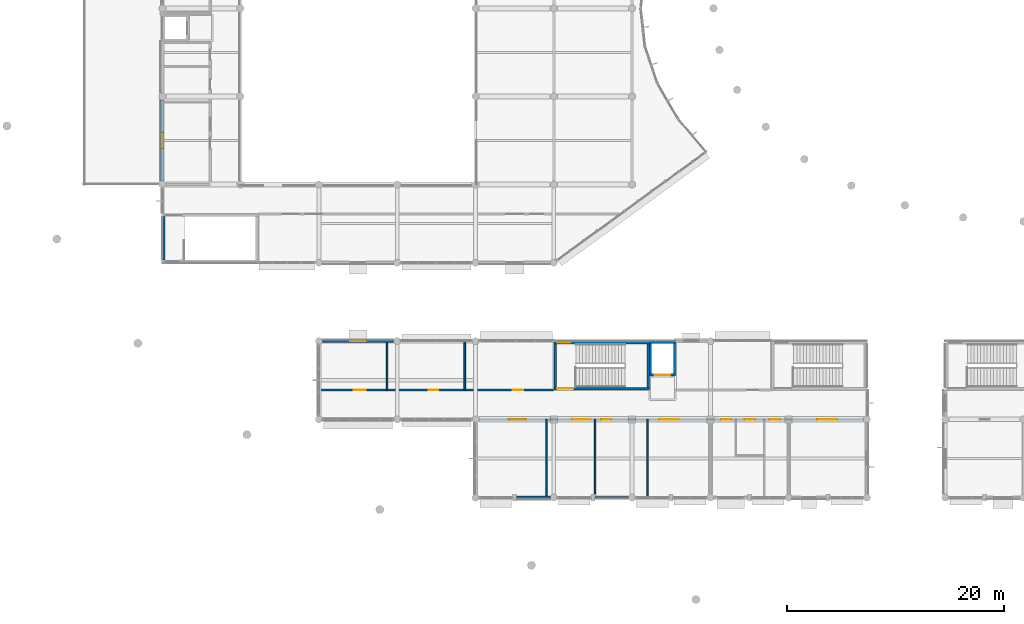
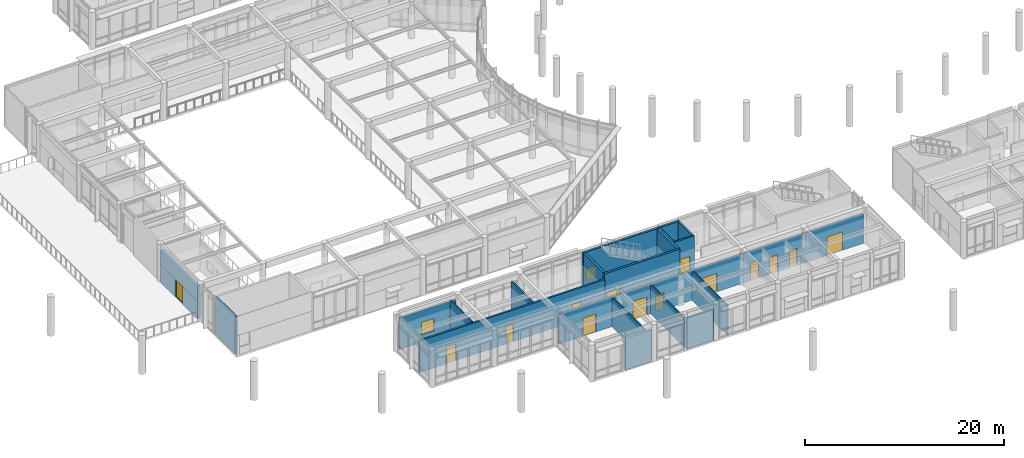
# One storey, part 45 of 92: 20 walls, 14 doors, 2 windows, 16 openings.
"""IFC4 building model written with IfcOpenShell, lengths in metres."""

from ifc_helpers import new_model, si_unit, direction, frame, frame_2d, origin, place, context, subcontext, project, spatial, rectangle, extrude, material, layer, layer_set, type_object, element, fill, save


model = new_model("IFC4")

# Units and contexts
model_context = context("Model", 3, precision=1e-05, world=origin(), true_north=direction((0.0, 1.0)))
body_context = subcontext(model_context, "Body", "Model", "MODEL_VIEW")
ifc_project = project(units=[si_unit("LENGTHUNIT", "METRE"), si_unit("AREAUNIT", "SQUARE_METRE"), si_unit("VOLUMEUNIT", "CUBIC_METRE"), si_unit("PLANEANGLEUNIT", "RADIAN"), si_unit("MASSUNIT", "GRAM", prefix="KILO")], contexts=[model_context])

# Site, building, storey
site_placement = place(None, origin())
site = spatial("IfcSite", under=ifc_project, at=site_placement, CompositionType="ELEMENT")
building_placement = place(site_placement, origin())
building = spatial("IfcBuilding", under=site, at=building_placement, Name="Namkhue Oval Health Centre", CompositionType="ELEMENT")
storey_placement = place(building_placement, frame((0.0, 0.0, 4.800048828125)))
storey = spatial("IfcBuildingStorey", under=building, at=storey_placement, Name="L01", CompositionType="ELEMENT", Elevation=4.800048828125)

# Wall
ifc_material_1 = material(Name="Autoclaved aerated concrete blockwork M7.5", Category="masonry")
ifc_layer_1 = layer(ifc_material_1, 0.179931640625)
ifc_layer_set_1 = layer_set([ifc_layer_1], Name="Autoclaved aerated concrete blockwork M7.5")
wall_type_1 = type_object("IfcWallType", Name="EXTERIOR ENVELOPE WALL 180", PredefinedType="STANDARD", material=ifc_layer_set_1)
wall_1_placement = place(storey_placement, frame((61.37109375, 14.39990234375, 0.0), z_axis=(0.0, 0.0, 1.0), x_axis=(1.0, 0.0, 0.0)))
element("IfcWall", 1, at=wall_1_placement, inside=storey, type_object=wall_type_1, Name="Volume V4 L01 Exterior Envelope Wall 97", PredefinedType="STANDARD", context=body_context, shape_type="SweptSolid", body=[
    extrude(rectangle(XDim=3.10888671875, YDim=0.179931640625, at=frame_2d((1.554443359375, 0.0))), origin(), (0.0, 0.0, 1.0), 3.85498046875),
])

# Wall, opening, window
ifc_layer_2 = layer(ifc_material_1, 0.22998046875)
ifc_layer_set_2 = layer_set([ifc_layer_2], Name="Autoclaved aerated concrete blockwork M7.5")
wall_type_2 = type_object("IfcWallType", Name="EXTERIOR ENVELOPE WALL 230", PredefinedType="STANDARD", material=ifc_layer_set_2)
wall_2_placement = place(storey_placement, frame((42.8798828125, 28.800048828125, 0.0), z_axis=(0.0, 0.0, 1.0), x_axis=(-1.0, 0.0, 0.0)))
wall_2 = element("IfcWall", 2, at=wall_2_placement, inside=storey, type_object=wall_type_2, Name="Volume V4 L01 Exterior Envelope Wall 102", PredefinedType="STANDARD", context=body_context, shape_type="SweptSolid", body=[
    extrude(rectangle(XDim=6.559814453125, YDim=0.22998046875, at=frame_2d((3.27978515625, 0.0))), origin(), (0.0, 0.0, 1.0), 3.89794921875),
])
opening_1_placement = place(wall_2_placement, frame((2.554931640625, 0.0, 0.89990234375)))
opening_1 = element("IfcOpeningElement", 3, at=opening_1_placement, cuts=wall_2, Name="Opening WN-24", PredefinedType="OPENING", context=body_context, shape_type="SweptSolid", body=[
    extrude(rectangle(XDim=1.449951171875, YDim=1.5400390625, at=frame_2d((0.72509765625, 0.77001953125))), frame((0.0, 0.125, 0.0), z_axis=(0.0, -1.0, 0.0), x_axis=(1.0, 0.0, 0.0)), (0.0, 0.0, 1.0), 0.25),
])
ifc_material_2 = material(Name="Thermally broken low-E laminated double glazing", Category="glass")
window_type_1 = type_object("IfcWindowType", Name="EXTERIOR WINDOW 1450X1540", PartitioningType="SINGLE_PANEL", PredefinedType="WINDOW", material=ifc_material_2)
window_1_placement = place(opening_1_placement, origin())
window_1 = element("IfcWindow", 4, at=window_1_placement, inside=storey, type_object=window_type_1, Name="Volume V4 L01 Exterior Window 69", OverallHeight=1.5400390625, OverallWidth=1.449951171875, PartitioningType="SINGLE_PANEL", PredefinedType="WINDOW", context=body_context, shape_type="SweptSolid", body=[
    extrude(rectangle(XDim=1.449951171875, YDim=1.5400390625, at=frame_2d((0.72509765625, 0.77001953125))), frame((0.0, 0.030029296875, 0.0), z_axis=(0.0, -1.0, 0.0), x_axis=(1.0, 0.0, 0.0)), (0.0, 0.0, 1.0), 0.06005859375),
])
fill(opening_1, window_1)

# Wall, opening, door
ifc_layer_3 = layer(ifc_material_1, 0.320068359375)
ifc_layer_set_3 = layer_set([ifc_layer_3], Name="Autoclaved aerated concrete blockwork M7.5")
wall_type_3 = type_object("IfcWallType", Name="EXTERIOR ENVELOPE WALL 320", PredefinedType="STANDARD", material=ifc_layer_set_3)
wall_3_placement = place(storey_placement, frame((21.60009765625, 50.97998046875, 0.0), z_axis=(0.0, 0.0, 1.0), x_axis=(0.0, -1.0, 0.0)))
wall_3 = element("IfcWall", 5, at=wall_3_placement, inside=storey, type_object=wall_type_3, Name="Volume V1 L01 Exterior Envelope Wall 15", PredefinedType="STANDARD", context=body_context, shape_type="SweptSolid", body=[
    extrude(rectangle(XDim=7.4599609375, YDim=0.320068359375, at=frame_2d((3.72998046875, 0.0))), origin(), (0.0, 0.0, 1.0), 3.949951171875),
])
opening_2_placement = place(wall_3_placement, frame((3.010009765625, 0.0, 0.0)))
opening_2 = element("IfcOpeningElement", 6, at=opening_2_placement, cuts=wall_3, Name="Opening TD-01", PredefinedType="OPENING", context=body_context, shape_type="SweptSolid", body=[
    extrude(rectangle(XDim=1.43994140625, YDim=2.159912109375, at=frame_2d((0.719970703125, 1.080078125))), frame((0.0, 0.169921875, 0.0), z_axis=(0.0, -1.0, 0.0), x_axis=(1.0, 0.0, 0.0)), (0.0, 0.0, 1.0), 0.340087890625),
])
ifc_material_3 = material(Name="Anodised aluminium glazed entrance door", Category="aluminium")
door_type_1 = type_object("IfcDoorType", Name="TERRACE DOOR 1440X2160", OperationType="DOUBLE_DOOR_SINGLE_SWING", PredefinedType="DOOR", material=ifc_material_3)
door_1_placement = place(opening_2_placement, frame((1.43994140625, 0.0, 0.0), z_axis=(0.0, 0.0, 1.0), x_axis=(-1.0, 0.0, 0.0)))
door_1 = element("IfcDoor", 7, at=door_1_placement, inside=storey, type_object=door_type_1, Name="Volume V1 L01 Roof Terrace Door 1", OperationType="DOUBLE_DOOR_SINGLE_SWING", OverallHeight=2.159912109375, OverallWidth=1.43994140625, PredefinedType="DOOR", context=body_context, shape_type="SweptSolid", body=[
    extrude(rectangle(XDim=1.43994140625, YDim=2.159912109375, at=frame_2d((0.719970703125, 1.080078125))), frame((0.0, 0.02490234375, 0.0), z_axis=(0.0, -1.0, 0.0), x_axis=(1.0, 0.0, 0.0)), (0.0, 0.0, 1.0), 0.050048828125),
])
fill(opening_2, door_1)

# Wall
ifc_layer_4 = layer(ifc_material_1, 0.330078125)
ifc_layer_set_4 = layer_set([ifc_layer_4], Name="Autoclaved aerated concrete blockwork M7.5")
wall_type_4 = type_object("IfcWallType", Name="EXTERIOR ENVELOPE WALL 330", PredefinedType="STANDARD", material=ifc_layer_set_4)
wall_4_placement = place(storey_placement, frame((54.1708984375, 14.39990234375, 0.0), z_axis=(0.0, 0.0, 1.0), x_axis=(1.0, 0.0, 0.0)))
element("IfcWall", 8, at=wall_4_placement, inside=storey, type_object=wall_type_4, Name="Volume V4 L01 Exterior Envelope Wall 96", PredefinedType="STANDARD", context=body_context, shape_type="SweptSolid", body=[
    extrude(rectangle(XDim=3.109130859375, YDim=0.330078125, at=frame_2d((1.5546875, 0.0))), origin(), (0.0, 0.0, 1.0), 3.85498046875),
])

# Wall, openings, doors
ifc_material_4 = material(Name="Gypsum plasterboard acoustic partition", Category="gypsum")
ifc_layer_5 = layer(ifc_material_4, 0.195068359375)
ifc_layer_set_5 = layer_set([ifc_layer_5], Name="Gypsum plasterboard acoustic partition")
wall_type_5 = type_object("IfcWallType", Name="FIRE PARTITION WALL 195", PredefinedType="PARTITIONING", material=ifc_layer_set_5)
wall_5_placement = place(storey_placement, frame((50.72509765625, 21.60009765625, 0.0), z_axis=(0.0, 0.0, 1.0), x_axis=(1.0, 0.0, 0.0)))
wall_5 = element("IfcWall", 9, at=wall_5_placement, inside=storey, type_object=wall_type_5, Name="Volume V4 L01 Clinical Partition Wall 171", PredefinedType="PARTITIONING", context=body_context, shape_type="SweptSolid", body=[
    extrude(rectangle(XDim=35.349853515625, YDim=0.195068359375, at=frame_2d((17.6748046875, 0.0))), origin(), (0.0, 0.0, 1.0), 3.655029296875),
])
opening_3_placement = place(wall_5_placement, frame((2.751953125, 0.0, 0.0)))
opening_3 = element("IfcOpeningElement", 10, at=opening_3_placement, cuts=wall_5, Name="Opening CDD-04", PredefinedType="OPENING", context=body_context, shape_type="SweptSolid", body=[
    extrude(rectangle(XDim=1.5400390625, YDim=2.199951171875, at=frame_2d((0.77001953125, 1.10009765625))), frame((0.0, 0.107421875, 0.0), z_axis=(0.0, -1.0, 0.0), x_axis=(1.0, 0.0, 0.0)), (0.0, 0.0, 1.0), 0.215087890625),
])
opening_4_placement = place(wall_5_placement, frame((8.569091796875, 0.0, 0.0)))
opening_4 = element("IfcOpeningElement", 11, at=opening_4_placement, cuts=wall_5, Name="Opening CDD-05", PredefinedType="OPENING", context=body_context, shape_type="SweptSolid", body=[
    extrude(rectangle(XDim=1.6201171875, YDim=2.219970703125, at=frame_2d((0.81005859375, 1.10986328125))), frame((0.0, 0.107421875, 0.0), z_axis=(0.0, -1.0, 0.0), x_axis=(1.0, 0.0, 0.0)), (0.0, 0.0, 1.0), 0.215087890625),
])
opening_5_placement = place(wall_5_placement, frame((11.259033203125, 0.0, 0.0)))
opening_5 = element("IfcOpeningElement", 12, at=opening_5_placement, cuts=wall_5, Name="Opening CD-01", PredefinedType="OPENING", context=body_context, shape_type="SweptSolid", body=[
    extrude(rectangle(XDim=0.89990234375, YDim=2.080078125, at=frame_2d((0.449951171875, 1.0400390625))), frame((0.0, 0.107421875, 0.0), z_axis=(0.0, -1.0, 0.0), x_axis=(1.0, 0.0, 0.0)), (0.0, 0.0, 1.0), 0.215087890625),
])
opening_6_placement = place(wall_5_placement, frame((16.60009765625, 0.0, 0.0)))
opening_6 = element("IfcOpeningElement", 13, at=opening_6_placement, cuts=wall_5, Name="Opening CDD-07", PredefinedType="OPENING", context=body_context, shape_type="SweptSolid", body=[
    extrude(rectangle(XDim=1.739990234375, YDim=2.260009765625, at=frame_2d((0.8701171875, 1.1298828125))), frame((0.0, 0.107421875, 0.0), z_axis=(0.0, -1.0, 0.0), x_axis=(1.0, 0.0, 0.0)), (0.0, 0.0, 1.0), 0.215087890625),
])
opening_7_placement = place(wall_5_placement, frame((22.2548828125, 0.0, 0.0)))
opening_7 = element("IfcOpeningElement", 14, at=opening_7_placement, cuts=wall_5, Name="Opening CD-13", PredefinedType="OPENING", context=body_context, shape_type="SweptSolid", body=[
    extrude(rectangle(XDim=0.919921875, YDim=2.179931640625, at=frame_2d((0.4599609375, 1.08984375))), frame((0.0, 0.107421875, 0.0), z_axis=(0.0, -1.0, 0.0), x_axis=(1.0, 0.0, 0.0)), (0.0, 0.0, 1.0), 0.215087890625),
])
opening_8_placement = place(wall_5_placement, frame((24.455078125, 0.0, 0.0)))
opening_8 = element("IfcOpeningElement", 15, at=opening_8_placement, cuts=wall_5, Name="Opening CD-02", PredefinedType="OPENING", context=body_context, shape_type="SweptSolid", body=[
    extrude(rectangle(XDim=0.93994140625, YDim=2.080078125, at=frame_2d((0.469970703125, 1.0400390625))), frame((0.0, 0.107421875, 0.0), z_axis=(0.0, -1.0, 0.0), x_axis=(1.0, 0.0, 0.0)), (0.0, 0.0, 1.0), 0.215087890625),
])
opening_9_placement = place(wall_5_placement, frame((26.7451171875, 0.0, 0.0)))
opening_9 = element("IfcOpeningElement", 16, at=opening_9_placement, cuts=wall_5, Name="Opening CD-01", PredefinedType="OPENING", context=body_context, shape_type="SweptSolid", body=[
    extrude(rectangle(XDim=0.89990234375, YDim=2.080078125, at=frame_2d((0.449951171875, 1.0400390625))), frame((0.0, 0.107421875, 0.0), z_axis=(0.0, -1.0, 0.0), x_axis=(1.0, 0.0, 0.0)), (0.0, 0.0, 1.0), 0.215087890625),
])
opening_10_placement = place(wall_5_placement, frame((31.123046875, 0.0, 0.0)))
opening_10 = element("IfcOpeningElement", 17, at=opening_10_placement, cuts=wall_5, Name="Opening CDD-08", PredefinedType="OPENING", context=body_context, shape_type="SweptSolid", body=[
    extrude(rectangle(XDim=1.820068359375, YDim=2.260009765625, at=frame_2d((0.91015625, 1.1298828125))), frame((0.0, 0.107421875, 0.0), z_axis=(0.0, -1.0, 0.0), x_axis=(1.0, 0.0, 0.0)), (0.0, 0.0, 1.0), 0.215087890625),
])
ifc_material_5 = material(Name="High-pressure laminate timber clinical door", Category="wood")
door_type_2 = type_object("IfcDoorType", Name="CLINICAL DOOR 900X2080", OperationType="NOTDEFINED", PredefinedType="DOOR", material=ifc_material_5)
door_2_placement = place(opening_5_placement, frame((0.89990234375, 0.0, 0.0), z_axis=(0.0, 0.0, 1.0), x_axis=(-1.0, 0.0, 0.0)))
door_2 = element("IfcDoor", 18, at=door_2_placement, inside=storey, type_object=door_type_2, Name="Volume V4 L01 Mammography Screening Room Door 148", OperationType="DOUBLE_DOOR_SINGLE_SWING", OverallHeight=2.080078125, OverallWidth=0.89990234375, PredefinedType="DOOR", context=body_context, shape_type="SweptSolid", body=[
    extrude(rectangle(XDim=0.89990234375, YDim=2.080078125, at=frame_2d((0.449951171875, 1.0400390625))), frame((0.0, 0.02490234375, 0.0), z_axis=(0.0, -1.0, 0.0), x_axis=(1.0, 0.0, 0.0)), (0.0, 0.0, 1.0), 0.050048828125),
])
fill(opening_5, door_2)
door_3_placement = place(opening_9_placement, frame((0.89990234375, 0.0, 0.0), z_axis=(0.0, 0.0, 1.0), x_axis=(-1.0, 0.0, 0.0)))
door_3 = element("IfcDoor", 19, at=door_3_placement, inside=storey, type_object=door_type_2, Name="Volume V4 L01 Patient Washroom Door 152", OperationType="SINGLE_SWING_RIGHT", OverallHeight=2.080078125, OverallWidth=0.89990234375, PredefinedType="DOOR", context=body_context, shape_type="SweptSolid", body=[
    extrude(rectangle(XDim=0.89990234375, YDim=2.080078125, at=frame_2d((0.449951171875, 1.0400390625))), frame((0.0, 0.02490234375, 0.0), z_axis=(0.0, -1.0, 0.0), x_axis=(1.0, 0.0, 0.0)), (0.0, 0.0, 1.0), 0.050048828125),
])
fill(opening_9, door_3)
door_type_3 = type_object("IfcDoorType", Name="CLINICAL DOOR 920X2180", OperationType="NOTDEFINED", PredefinedType="DOOR", material=ifc_material_5)
door_4_placement = place(opening_7_placement, frame((0.919921875, 0.0, 0.0), z_axis=(0.0, 0.0, 1.0), x_axis=(-1.0, 0.0, 0.0)))
door_4 = element("IfcDoor", 20, at=door_4_placement, inside=storey, type_object=door_type_3, Name="Volume V4 L01 Phlebotomy Pathology Laboratory Door 150", OperationType="SINGLE_SWING_LEFT", OverallHeight=2.179931640625, OverallWidth=0.919921875, PredefinedType="DOOR", context=body_context, shape_type="SweptSolid", body=[
    extrude(rectangle(XDim=0.919921875, YDim=2.179931640625, at=frame_2d((0.4599609375, 1.08984375))), frame((0.0, 0.02490234375, 0.0), z_axis=(0.0, -1.0, 0.0), x_axis=(1.0, 0.0, 0.0)), (0.0, 0.0, 1.0), 0.050048828125),
])
fill(opening_7, door_4)
door_type_4 = type_object("IfcDoorType", Name="CLINICAL DOOR 940X2080", OperationType="NOTDEFINED", PredefinedType="DOOR", material=ifc_material_5)
door_5_placement = place(opening_8_placement, frame((0.93994140625, 0.0, 0.0), z_axis=(0.0, 0.0, 1.0), x_axis=(-1.0, 0.0, 0.0)))
door_5 = element("IfcDoor", 21, at=door_5_placement, inside=storey, type_object=door_type_4, Name="Volume V4 L01 Accessible WC Door 151", OperationType="SINGLE_SWING_RIGHT", OverallHeight=2.080078125, OverallWidth=0.93994140625, PredefinedType="DOOR", context=body_context, shape_type="SweptSolid", body=[
    extrude(rectangle(XDim=0.93994140625, YDim=2.080078125, at=frame_2d((0.469970703125, 1.0400390625))), frame((0.0, 0.02490234375, 0.0), z_axis=(0.0, -1.0, 0.0), x_axis=(1.0, 0.0, 0.0)), (0.0, 0.0, 1.0), 0.050048828125),
])
fill(opening_8, door_5)
ifc_material_6 = material(Name="Powder-coated steel fire door assembly", Category="steel")
door_type_5 = type_object("IfcDoorType", Name="CLINICAL DOOR DOUBLE 1540X2200", OperationType="DOUBLE_DOOR_SINGLE_SWING", PredefinedType="DOOR", material=ifc_material_6)
door_6_placement = place(opening_3_placement, frame((1.5400390625, 0.0, 0.0), z_axis=(0.0, 0.0, 1.0), x_axis=(-1.0, 0.0, 0.0)))
door_6 = element("IfcDoor", 22, at=door_6_placement, inside=storey, type_object=door_type_5, Name="Volume V4 L01 Diagnostic Imaging CT Scanner Door 146", OperationType="DOUBLE_DOOR_SINGLE_SWING", OverallHeight=2.199951171875, OverallWidth=1.5400390625, PredefinedType="DOOR", context=body_context, shape_type="SweptSolid", body=[
    extrude(rectangle(XDim=1.5400390625, YDim=2.199951171875, at=frame_2d((0.77001953125, 1.10009765625))), frame((0.0, 0.02490234375, 0.0), z_axis=(0.0, -1.0, 0.0), x_axis=(1.0, 0.0, 0.0)), (0.0, 0.0, 1.0), 0.050048828125),
])
fill(opening_3, door_6)
door_type_6 = type_object("IfcDoorType", Name="CLINICAL DOOR DOUBLE 1620X2220", OperationType="DOUBLE_DOOR_SINGLE_SWING", PredefinedType="DOOR", material=ifc_material_6)
door_7_placement = place(opening_4_placement, frame((1.6201171875, 0.0, 0.0), z_axis=(0.0, 0.0, 1.0), x_axis=(-1.0, 0.0, 0.0)))
door_7 = element("IfcDoor", 23, at=door_7_placement, inside=storey, type_object=door_type_6, Name="Volume V4 L01 Imaging Control Room Door 147", OperationType="DOUBLE_DOOR_SINGLE_SWING", OverallHeight=2.219970703125, OverallWidth=1.6201171875, PredefinedType="DOOR", context=body_context, shape_type="SweptSolid", body=[
    extrude(rectangle(XDim=1.6201171875, YDim=2.219970703125, at=frame_2d((0.81005859375, 1.10986328125))), frame((0.0, 0.02490234375, 0.0), z_axis=(0.0, -1.0, 0.0), x_axis=(1.0, 0.0, 0.0)), (0.0, 0.0, 1.0), 0.050048828125),
])
fill(opening_4, door_7)
door_type_7 = type_object("IfcDoorType", Name="CLINICAL DOOR DOUBLE 1740X2260", OperationType="DOUBLE_DOOR_SINGLE_SWING", PredefinedType="DOOR", material=ifc_material_6)
door_8_placement = place(opening_6_placement, frame((1.739990234375, 0.0, 0.0), z_axis=(0.0, 0.0, 1.0), x_axis=(-1.0, 0.0, 0.0)))
door_8 = element("IfcDoor", 24, at=door_8_placement, inside=storey, type_object=door_type_7, Name="Volume V4 L01 Ultrasound Diagnostic Room Door 149", OperationType="DOUBLE_DOOR_SINGLE_SWING", OverallHeight=2.260009765625, OverallWidth=1.739990234375, PredefinedType="DOOR", context=body_context, shape_type="SweptSolid", body=[
    extrude(rectangle(XDim=1.739990234375, YDim=2.260009765625, at=frame_2d((0.8701171875, 1.1298828125))), frame((0.0, 0.02490234375, 0.0), z_axis=(0.0, -1.0, 0.0), x_axis=(1.0, 0.0, 0.0)), (0.0, 0.0, 1.0), 0.050048828125),
])
fill(opening_6, door_8)
door_type_8 = type_object("IfcDoorType", Name="CLINICAL DOOR DOUBLE 1820X2260", OperationType="DOUBLE_DOOR_SINGLE_SWING", PredefinedType="DOOR", material=ifc_material_6)
door_9_placement = place(opening_10_placement, frame((1.820068359375, 0.0, 0.0), z_axis=(0.0, 0.0, 1.0), x_axis=(-1.0, 0.0, 0.0)))
door_9 = element("IfcDoor", 25, at=door_9_placement, inside=storey, type_object=door_type_8, Name="Volume V4 L01 Digital X Ray Suite Door 153", OperationType="DOUBLE_DOOR_SINGLE_SWING", OverallHeight=2.260009765625, OverallWidth=1.820068359375, PredefinedType="DOOR", context=body_context, shape_type="SweptSolid", body=[
    extrude(rectangle(XDim=1.820068359375, YDim=2.260009765625, at=frame_2d((0.91015625, 1.1298828125))), frame((0.0, 0.02490234375, 0.0), z_axis=(0.0, -1.0, 0.0), x_axis=(1.0, 0.0, 0.0)), (0.0, 0.0, 1.0), 0.050048828125),
])
fill(opening_10, door_9)

ifc_layer_6 = layer(ifc_material_4, 0.215087890625)
ifc_layer_set_6 = layer_set([ifc_layer_6], Name="Gypsum plasterboard acoustic partition")
wall_type_6 = type_object("IfcWallType", Name="FIRE PARTITION WALL 215", PredefinedType="PARTITIONING", material=ifc_layer_set_6)
wall_6_placement = place(storey_placement, frame((36.0400390625, 24.300048828125, 0.0), z_axis=(0.0, 0.0, 1.0), x_axis=(1.0, 0.0, 0.0)))
wall_6 = element("IfcWall", 26, at=wall_6_placement, inside=storey, type_object=wall_type_6, Name="Volume V4 L01 Clinical Partition Wall 180", PredefinedType="PARTITIONING", context=body_context, shape_type="SweptSolid", body=[
    extrude(rectangle(XDim=21.5400390625, YDim=0.215087890625, at=frame_2d((10.77001953125, 0.0))), origin(), (0.0, 0.0, 1.0), 3.89794921875),
])
opening_11_placement = place(wall_6_placement, frame((3.162109375, 0.0, 0.0)))
opening_11 = element("IfcOpeningElement", 27, at=opening_11_placement, cuts=wall_6, Name="Opening CD-06", PredefinedType="OPENING", context=body_context, shape_type="SweptSolid", body=[
    extrude(rectangle(XDim=1.10009765625, YDim=2.080078125, at=frame_2d((0.550048828125, 1.0400390625))), frame((0.0, 0.117431640625, 0.0), z_axis=(0.0, -1.0, 0.0), x_axis=(1.0, 0.0, 0.0)), (0.0, 0.0, 1.0), 0.235107421875),
])
opening_12_placement = place(wall_6_placement, frame((10.050048828125, 0.0, 0.0)))
opening_12 = element("IfcOpeningElement", 28, at=opening_12_placement, cuts=wall_6, Name="Opening CD-07", PredefinedType="OPENING", context=body_context, shape_type="SweptSolid", body=[
    extrude(rectangle(XDim=0.89990234375, YDim=2.1298828125, at=frame_2d((0.449951171875, 1.06494140625))), frame((0.0, 0.117431640625, 0.0), z_axis=(0.0, -1.0, 0.0), x_axis=(1.0, 0.0, 0.0)), (0.0, 0.0, 1.0), 0.235107421875),
])
opening_13_placement = place(wall_6_placement, frame((17.804931640625, 0.0, 0.0)))
opening_13 = element("IfcOpeningElement", 29, at=opening_13_placement, cuts=wall_6, Name="Opening CD-08", PredefinedType="OPENING", context=body_context, shape_type="SweptSolid", body=[
    extrude(rectangle(XDim=0.949951171875, YDim=2.1298828125, at=frame_2d((0.47509765625, 1.06494140625))), frame((0.0, 0.117431640625, 0.0), z_axis=(0.0, -1.0, 0.0), x_axis=(1.0, 0.0, 0.0)), (0.0, 0.0, 1.0), 0.235107421875),
])
door_type_9 = type_object("IfcDoorType", Name="CLINICAL DOOR 1100X2080", OperationType="NOTDEFINED", PredefinedType="DOOR", material=ifc_material_5)
door_10_placement = place(opening_11_placement, origin())
door_10 = element("IfcDoor", 30, at=door_10_placement, inside=storey, type_object=door_type_9, Name="Volume V4 L01 Bone Densitometry DEXA Room Door 154", OperationType="SINGLE_SWING_RIGHT", OverallHeight=2.080078125, OverallWidth=1.10009765625, PredefinedType="DOOR", context=body_context, shape_type="SweptSolid", body=[
    extrude(rectangle(XDim=1.10009765625, YDim=2.080078125, at=frame_2d((0.550048828125, 1.0400390625))), frame((0.0, 0.02490234375, 0.0), z_axis=(0.0, -1.0, 0.0), x_axis=(1.0, 0.0, 0.0)), (0.0, 0.0, 1.0), 0.050048828125),
])
fill(opening_11, door_10)
door_type_10 = type_object("IfcDoorType", Name="CLINICAL DOOR 900X2130", OperationType="NOTDEFINED", PredefinedType="DOOR", material=ifc_material_5)
door_11_placement = place(opening_12_placement, origin())
door_11 = element("IfcDoor", 31, at=door_11_placement, inside=storey, type_object=door_type_10, Name="Volume V4 L01 Radiology Reporting Suite Door 155", OperationType="SINGLE_SWING_LEFT", OverallHeight=2.1298828125, OverallWidth=0.89990234375, PredefinedType="DOOR", context=body_context, shape_type="SweptSolid", body=[
    extrude(rectangle(XDim=0.89990234375, YDim=2.1298828125, at=frame_2d((0.449951171875, 1.06494140625))), frame((0.0, 0.02490234375, 0.0), z_axis=(0.0, -1.0, 0.0), x_axis=(1.0, 0.0, 0.0)), (0.0, 0.0, 1.0), 0.050048828125),
])
fill(opening_12, door_11)
door_type_11 = type_object("IfcDoorType", Name="CLINICAL DOOR 950X2130", OperationType="NOTDEFINED", PredefinedType="DOOR", material=ifc_material_5)
door_12_placement = place(opening_13_placement, origin())
door_12 = element("IfcDoor", 32, at=door_12_placement, inside=storey, type_object=door_type_11, Name="Volume V4 L01 Fluoroscopy Diagnostic Room Door 156", OperationType="SINGLE_SWING_RIGHT", OverallHeight=2.1298828125, OverallWidth=0.949951171875, PredefinedType="DOOR", context=body_context, shape_type="SweptSolid", body=[
    extrude(rectangle(XDim=0.949951171875, YDim=2.1298828125, at=frame_2d((0.47509765625, 1.06494140625))), frame((0.0, 0.02490234375, 0.0), z_axis=(0.0, -1.0, 0.0), x_axis=(1.0, 0.0, 0.0)), (0.0, 0.0, 1.0), 0.050048828125),
])
fill(opening_13, door_12)

# Walls
ifc_layer_7 = layer(ifc_material_4, 0.1298828125)
ifc_layer_set_7 = layer_set([ifc_layer_7], Name="Gypsum plasterboard acoustic partition")
wall_type_7 = type_object("IfcWallType", Name="INTERIOR PARTITION WALL 130", PredefinedType="PARTITIONING", material=ifc_layer_set_7)
wall_7_placement = place(storey_placement, frame((56.919921875, 14.5869140625, 0.0), z_axis=(0.0, 0.0, 1.0), x_axis=(0.0, 1.0, 0.0)))
element("IfcWall", 33, at=wall_7_placement, inside=storey, type_object=wall_type_7, Name="Volume V4 L01 Clinical Partition Wall 172", PredefinedType="PARTITIONING", context=body_context, shape_type="SweptSolid", body=[
    extrude(rectangle(XDim=7.01318359375, YDim=0.1298828125, at=frame_2d((3.506591796875, 0.0))), origin(), (0.0, 0.0, 1.0), 3.655029296875),
])
ifc_layer_8 = layer(ifc_material_4, 0.139892578125)
ifc_layer_set_8 = layer_set([ifc_layer_8], Name="Gypsum plasterboard acoustic partition")
wall_type_8 = type_object("IfcWallType", Name="INTERIOR PARTITION WALL 140", PredefinedType="PARTITIONING", material=ifc_layer_set_8)
wall_8_placement = place(storey_placement, frame((61.39404296875, 14.747314453125, 0.0), z_axis=(0.0, 0.0, 1.0), x_axis=(0.0, 1.0, 0.0)))
element("IfcWall", 34, at=wall_8_placement, inside=storey, type_object=wall_type_8, Name="Volume V4 L01 Clinical Partition Wall 173", PredefinedType="PARTITIONING", context=body_context, shape_type="SweptSolid", body=[
    extrude(rectangle(XDim=6.852783203125, YDim=0.139892578125, at=frame_2d((3.42626953125, 0.0))), origin(), (0.0, 0.0, 1.0), 3.655029296875),
])
ifc_layer_9 = layer(ifc_material_4, 0.14990234375)
ifc_layer_set_9 = layer_set([ifc_layer_9], Name="Gypsum plasterboard acoustic partition")
wall_type_9 = type_object("IfcWallType", Name="INTERIOR PARTITION WALL 150", PredefinedType="PARTITIONING", material=ifc_layer_set_9)
wall_9_placement = place(storey_placement, frame((66.23291015625, 14.43994140625, 0.0), z_axis=(0.0, 0.0, 1.0), x_axis=(0.0, 1.0, 0.0)))
element("IfcWall", 35, at=wall_9_placement, inside=storey, type_object=wall_type_9, Name="Volume V4 L01 Clinical Partition Wall 174", PredefinedType="PARTITIONING", context=body_context, shape_type="SweptSolid", body=[
    extrude(rectangle(XDim=7.16015625, YDim=0.14990234375, at=frame_2d((3.580078125, 0.0))), origin(), (0.0, 0.0, 1.0), 3.655029296875),
])
wall_10_placement = place(storey_placement, frame((42.27294921875, 24.300048828125, 0.0), z_axis=(0.0, 0.0, 1.0), x_axis=(0.0, 1.0, 0.0)))
element("IfcWall", 36, at=wall_10_placement, inside=storey, type_object=wall_type_9, Name="Volume V4 L01 Clinical Partition Wall 181", PredefinedType="PARTITIONING", context=body_context, shape_type="SweptSolid", body=[
    extrude(rectangle(XDim=4.363037109375, YDim=0.14990234375, at=frame_2d((2.181640625, 0.0))), origin(), (0.0, 0.0, 1.0), 4.0478515625),
])
ifc_layer_10 = layer(ifc_material_4, 0.159912109375)
ifc_layer_set_10 = layer_set([ifc_layer_10], Name="Gypsum plasterboard acoustic partition")
wall_type_10 = type_object("IfcWallType", Name="INTERIOR PARTITION WALL 160", PredefinedType="PARTITIONING", material=ifc_layer_set_10)
wall_11_placement = place(storey_placement, frame((49.419921875, 24.300048828125, 0.0), z_axis=(0.0, 0.0, 1.0), x_axis=(0.0, 1.0, 0.0)))
element("IfcWall", 37, at=wall_11_placement, inside=storey, type_object=wall_type_10, Name="Volume V4 L01 Clinical Partition Wall 182", PredefinedType="PARTITIONING", context=body_context, shape_type="SweptSolid", body=[
    extrude(rectangle(XDim=4.4599609375, YDim=0.159912109375, at=frame_2d((2.22998046875, 0.0))), origin(), (0.0, 0.0, 1.0), 3.85498046875),
])
ifc_material_7 = material(Name="Reinforced concrete C35/45 (TCVN B40)", Category="concrete")
ifc_layer_11 = layer(ifc_material_7, 0.25)
ifc_layer_set_11 = layer_set([ifc_layer_11], Name="Reinforced concrete C35/45 (TCVN B40)")
wall_type_11 = type_object("IfcWallType", Name="SHEAR CORE WALL EXT 250", PredefinedType="SHEAR", material=ifc_layer_set_11)
wall_12_placement = place(storey_placement, frame((21.72509765625, 40.25, 0.0), z_axis=(0.0, 0.0, 1.0), x_axis=(0.0, -1.0, 0.0)))
element("IfcWall", 38, at=wall_12_placement, inside=storey, type_object=wall_type_11, Name="Core SC-01 L01 Shear Wall W", PredefinedType="SHEAR", context=body_context, shape_type="SweptSolid", body=[
    extrude(rectangle(XDim=4.0, YDim=0.25, at=frame_2d((2.0, 0.0))), origin(), (0.0, 0.0, 1.0), 4.599853515625),
])

# Wall, opening, window
wall_13_placement = place(storey_placement, frame((66.39990234375, 28.675048828125, 0.0), z_axis=(0.0, 0.0, 1.0), x_axis=(-1.0, 0.0, 0.0)))
wall_13 = element("IfcWall", 39, at=wall_13_placement, inside=storey, type_object=wall_type_11, Name="Core SC-07 L01 Shear Wall N", PredefinedType="SHEAR", context=body_context, shape_type="SweptSolid", body=[
    extrude(rectangle(XDim=8.7998046875, YDim=0.25, at=frame_2d((4.39990234375, 0.0))), origin(), (0.0, 0.0, 1.0), 4.5048828125),
])
opening_14_placement = place(wall_13_placement, frame((7.27001953125, 0.0, 0.919921875)))
opening_14 = element("IfcOpeningElement", 40, at=opening_14_placement, cuts=wall_13, Name="Opening SWN-01", PredefinedType="OPENING", context=body_context, shape_type="SweptSolid", body=[
    extrude(rectangle(XDim=1.179931640625, YDim=1.47998046875, at=frame_2d((0.58984375, 0.739990234375))), frame((0.0, 0.135009765625, 0.0), z_axis=(0.0, -1.0, 0.0), x_axis=(1.0, 0.0, 0.0)), (0.0, 0.0, 1.0), 0.27001953125),
])
ifc_material_8 = material(Name="Fire-rated insulated safety double glazing", Category="glass")
window_type_2 = type_object("IfcWindowType", Name="EXTERIOR WINDOW STAIRWELL 1180X1480", PartitioningType="SINGLE_PANEL", PredefinedType="WINDOW", material=ifc_material_8)
window_2_placement = place(opening_14_placement, origin())
window_2 = element("IfcWindow", 41, at=window_2_placement, inside=storey, type_object=window_type_2, Name="Stair ST-07 L01 Stairwell Daylight Window", OverallHeight=1.47998046875, OverallWidth=1.179931640625, PartitioningType="SINGLE_PANEL", PredefinedType="WINDOW", context=body_context, shape_type="SweptSolid", body=[
    extrude(rectangle(XDim=1.179931640625, YDim=1.47998046875, at=frame_2d((0.58984375, 0.739990234375))), frame((0.0, 0.030029296875, 0.0), z_axis=(0.0, -1.0, 0.0), x_axis=(1.0, 0.0, 0.0)), (0.0, 0.0, 1.0), 0.06005859375),
])
fill(opening_14, window_2)

# Wall
wall_14_placement = place(storey_placement, frame((68.800048828125, 28.699951171875, 0.0), z_axis=(0.0, 0.0, 1.0), x_axis=(-1.0, 0.0, 0.0)))
element("IfcWall", 42, at=wall_14_placement, inside=storey, type_object=wall_type_11, Name="Lift LF-05 L01 Shaft Wall N", PredefinedType="SHEAR", context=body_context, shape_type="SweptSolid", body=[
    extrude(rectangle(XDim=2.400146484375, YDim=0.25, at=frame_2d((1.2001953125, 0.0))), origin(), (0.0, 0.0, 1.0), 4.5048828125),
])

# Wall, opening, door
ifc_layer_12 = layer(ifc_material_7, 0.199951171875)
ifc_layer_set_12 = layer_set([ifc_layer_12], Name="Reinforced concrete C35/45 (TCVN B40)")
wall_type_12 = type_object("IfcWallType", Name="SHEAR CORE WALL INT 200", PredefinedType="SHEAR", material=ifc_layer_set_12)
wall_15_placement = place(storey_placement, frame((66.39990234375, 25.699951171875, 0.0), z_axis=(0.0, 0.0, 1.0), x_axis=(1.0, 0.0, 0.0)))
wall_15 = element("IfcWall", 43, at=wall_15_placement, inside=storey, type_object=wall_type_12, Name="Lift LF-05 L01 Shaft Wall S", PredefinedType="SHEAR", context=body_context, shape_type="SweptSolid", body=[
    extrude(rectangle(XDim=2.400146484375, YDim=0.199951171875, at=frame_2d((1.2001953125, 0.0))), origin(), (0.0, 0.0, 1.0), 4.5048828125),
])
opening_15_placement = place(wall_15_placement, frame((0.5, 0.0, 0.0)))
opening_15 = element("IfcOpeningElement", 44, at=opening_15_placement, cuts=wall_15, Name="Opening LD-01", PredefinedType="OPENING", context=body_context, shape_type="SweptSolid", body=[
    extrude(rectangle(XDim=1.39990234375, YDim=2.14990234375, at=frame_2d((0.699951171875, 1.074951171875))), frame((0.0, 0.10986328125, 0.0), z_axis=(0.0, -1.0, 0.0), x_axis=(1.0, 0.0, 0.0)), (0.0, 0.0, 1.0), 0.219970703125),
])
door_type_12 = type_object("IfcDoorType", Name="LIFT LANDING DOOR STRETCHER 1400X2150", OperationType="DOUBLE_DOOR_SLIDING", PredefinedType="DOOR", material=ifc_material_6)
door_13_placement = place(opening_15_placement, frame((1.39990234375, 0.0, 0.0), z_axis=(0.0, 0.0, 1.0), x_axis=(-1.0, 0.0, 0.0)))
door_13 = element("IfcDoor", 45, at=door_13_placement, inside=storey, type_object=door_type_12, Name="Lift LF-05 L01 Sliding Landing Door", OperationType="DOUBLE_DOOR_SLIDING", OverallHeight=2.14990234375, OverallWidth=1.39990234375, PredefinedType="DOOR", context=body_context, shape_type="SweptSolid", body=[
    extrude(rectangle(XDim=1.39990234375, YDim=2.14990234375, at=frame_2d((0.699951171875, 1.074951171875))), frame((0.0, 0.02490234375, 0.0), z_axis=(0.0, -1.0, 0.0), x_axis=(1.0, 0.0, 0.0)), (0.0, 0.0, 1.0), 0.050048828125),
])
fill(opening_15, door_13)

# Walls
for number, where, z_axis, x_axis, name in (
    (46, (68.699951171875, 25.800048828125, 0.0), (0.0, 0.0, 1.0), (0.0, 1.0, 0.0), "Lift LF-05 L01 Shaft Wall E"),
    (47, (66.5, 28.60009765625, 0.0), (0.0, 0.0, 1.0), (0.0, -1.0, 0.0), "Lift LF-05 L01 Shaft Wall W"),
):
    element("IfcWall", number, at=place(storey_placement, frame(where, z_axis=z_axis, x_axis=x_axis)), inside=storey, type_object=wall_type_12, Name=name, PredefinedType="SHEAR", context=body_context, shape_type="SweptSolid", body=[
        extrude(rectangle(XDim=2.800048828125, YDim=0.199951171875, at=frame_2d((1.39990234375, 0.0))), origin(), (0.0, 0.0, 1.0), 4.5048828125),
    ])

# Wall, opening, door
ifc_layer_13 = layer(ifc_material_7, 0.25)
ifc_layer_set_13 = layer_set([ifc_layer_13], Name="Reinforced concrete C35/45 (TCVN B40)")
wall_type_13 = type_object("IfcWallType", Name="SHEAR CORE WALL INT 250", PredefinedType="SHEAR", material=ifc_layer_set_13)
wall_16_placement = place(storey_placement, frame((57.60009765625, 24.425048828125, 0.0), z_axis=(0.0, 0.0, 1.0), x_axis=(1.0, 0.0, 0.0)))
wall_16 = element("IfcWall", 48, at=wall_16_placement, inside=storey, type_object=wall_type_13, Name="Core SC-07 L01 Shear Wall S", PredefinedType="SHEAR", context=body_context, shape_type="SweptSolid", body=[
    extrude(rectangle(XDim=8.7998046875, YDim=0.25, at=frame_2d((4.39990234375, 0.0))), origin(), (0.0, 0.0, 1.0), 4.5048828125),
])
opening_16_placement = place(wall_16_placement, frame((0.300048828125, 0.0, 0.0)))
opening_16 = element("IfcOpeningElement", 49, at=opening_16_placement, cuts=wall_16, Name="Opening SD-I1", PredefinedType="OPENING", context=body_context, shape_type="SweptSolid", body=[
    extrude(rectangle(XDim=1.5, YDim=2.14990234375, at=frame_2d((0.75, 1.074951171875))), frame((0.0, 0.135009765625, 0.0), z_axis=(0.0, -1.0, 0.0), x_axis=(1.0, 0.0, 0.0)), (0.0, 0.0, 1.0), 0.27001953125),
])
door_type_13 = type_object("IfcDoorType", Name="CLINICAL DOOR STAIR CORE 1500X2150", OperationType="DOUBLE_DOOR_SINGLE_SWING", PredefinedType="DOOR", material=ifc_material_6)
door_14_placement = place(opening_16_placement, origin())
door_14 = element("IfcDoor", 50, at=door_14_placement, inside=storey, type_object=door_type_13, Name="Stair ST-07 L01 Stair Enclosure Fire Door", OperationType="DOUBLE_DOOR_SINGLE_SWING", OverallHeight=2.14990234375, OverallWidth=1.5, PredefinedType="DOOR", context=body_context, shape_type="SweptSolid", body=[
    extrude(rectangle(XDim=1.5, YDim=2.14990234375, at=frame_2d((0.75, 1.074951171875))), frame((0.0, 0.02490234375, 0.0), z_axis=(0.0, -1.0, 0.0), x_axis=(1.0, 0.0, 0.0)), (0.0, 0.0, 1.0), 0.050048828125),
])
fill(opening_16, door_14)

# Walls
for number, where, z_axis, x_axis, name in (
    (51, (66.27490234375, 24.550048828125, 0.0), (0.0, 0.0, 1.0), (0.0, 1.0, 0.0), "Core SC-07 L01 Shear Wall E"),
    (52, (57.72509765625, 28.550048828125, 0.0), (0.0, 0.0, 1.0), (0.0, -1.0, 0.0), "Core SC-07 L01 Shear Wall W"),
):
    element("IfcWall", number, at=place(storey_placement, frame(where, z_axis=z_axis, x_axis=x_axis)), inside=storey, type_object=wall_type_13, Name=name, PredefinedType="SHEAR", context=body_context, shape_type="SweptSolid", body=[
        extrude(rectangle(XDim=4.0, YDim=0.25, at=frame_2d((2.0, 0.0))), origin(), (0.0, 0.0, 1.0), 4.5048828125),
    ])

save(model, "model.ifc")
